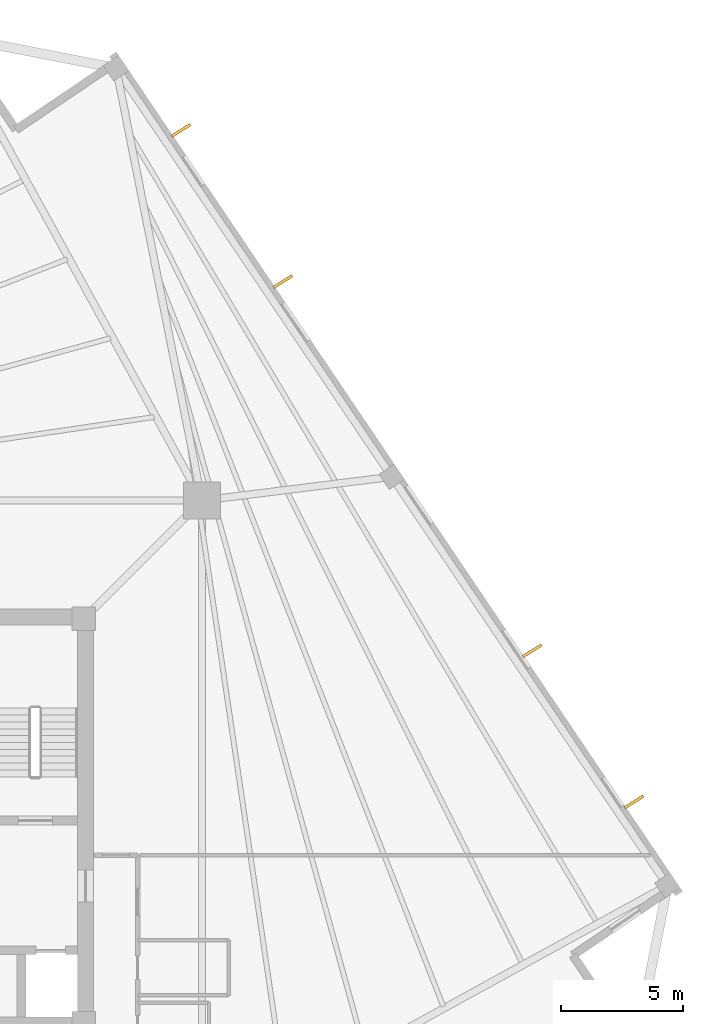
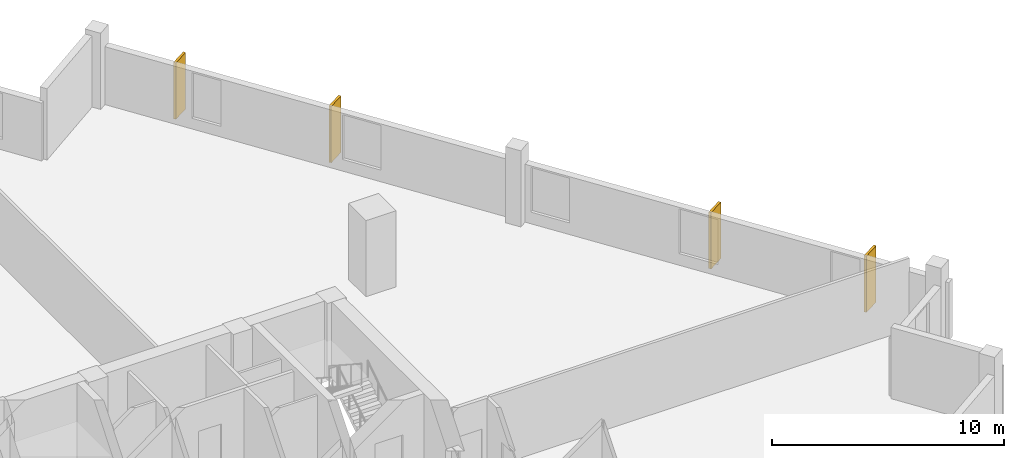
# One storey, part 8 of 8: 4 coverings.
"""IFC4 building model written with IfcOpenShell, lengths in metres."""

from ifc_helpers import new_model, si_unit, direction, frame, origin, origin_2d, place, context, subcontext, project, spatial, rectangle, extrude, source, transform, mapped, material, layer, layer_set, type_object, element, save


model = new_model("IFC4")

# Units and contexts
model_context = context("Model", 3, precision=1e-05, world=origin(), true_north=direction((0.0, 1.0)))
body_context = subcontext(model_context, "Body", "Model", "MODEL_VIEW")
ifc_project = project(units=[si_unit("LENGTHUNIT", "METRE"), si_unit("AREAUNIT", "SQUARE_METRE"), si_unit("VOLUMEUNIT", "CUBIC_METRE"), si_unit("PLANEANGLEUNIT", "RADIAN"), si_unit("MASSUNIT", "GRAM", prefix="KILO"), si_unit("THERMODYNAMICTEMPERATUREUNIT", "KELVIN")], contexts=[model_context])

# Site, building, storey
site_placement = place(None, origin())
site = spatial("IfcSite", under=ifc_project, at=site_placement, CompositionType="ELEMENT")
building_placement = place(site_placement, origin())
building = spatial("IfcBuilding", under=site, at=building_placement, Name="Kosmvard Interchange Tower", CompositionType="ELEMENT")
storey_placement = place(building_placement, frame((0.0, 0.0, 152.39990234375)))
storey = spatial("IfcBuildingStorey", under=building, at=storey_placement, Name="L36", CompositionType="ELEMENT", Elevation=152.39990234375)

# Coverings
ifc_material = material(Name="Architectural anodised aluminium", Category="aluminium")
ifc_layer = layer(ifc_material, 0.1201171875, Name="Architectural anodised aluminium")
ifc_layer_set = layer_set([ifc_layer], Name="Architectural anodised aluminium")
covering_type = type_object("IfcCoveringType", Name="Rotating Vertical Sun-Breaker Fin 900x120 Aluminium", PredefinedType="CLADDING", material=ifc_layer_set)
shared_shape = source(origin(), body_context, "Body", "SweptSolid", [
    extrude(rectangle(XDim=0.89990234375, YDim=0.1201171875, at=origin_2d()), origin(), (0.0, 0.0, 1.0), 2.9599609375),
])
for number, where, z_axis, x_axis, name in (
    (1, (30.718994140625, 0.774169921875, 0.0400390625), (0.0, 0.0, 1.0), (0.848325444973, 0.529475154669, 0.0), "L36 Rotating Vertical Sun-Breaker Fin 05"),
    (2, (26.557861328125, 6.943115234375, 0.0400390625), (0.0, 0.0, 1.0), (0.848325444973, 0.529475154669, 0.0), "L36 Rotating Vertical Sun-Breaker Fin 06"),
    (3, (16.38623046875, 22.02294921875, 0.0400390625), (0.0, 0.0, 1.0), (0.848325444973, 0.529475154669, 0.0), "L36 Rotating Vertical Sun-Breaker Fin 07"),
    (4, (12.225341796875, 28.192138671875, 0.0400390625), (0.0, 0.0, 1.0), (0.848325444973, 0.529475154669, 0.0), "L36 Rotating Vertical Sun-Breaker Fin 08"),
):
    element("IfcCovering", number, at=place(storey_placement, frame(where, z_axis=z_axis, x_axis=x_axis)), inside=storey, type_object=covering_type, Name=name, PredefinedType="CLADDING", context=body_context, shape_type="MappedRepresentation", body=[
        mapped(shared_shape, transform((0.0, 0.0, 0.0), scale=1.0)),
    ])

save(model, "model.ifc")
